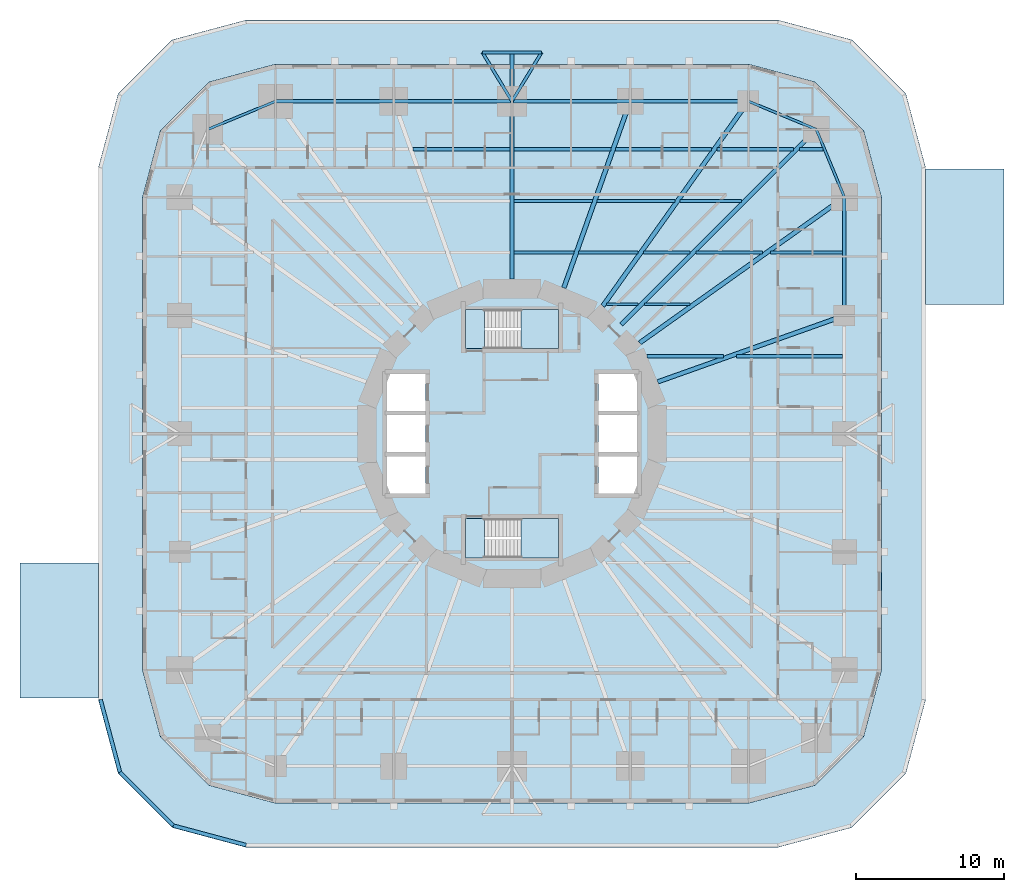
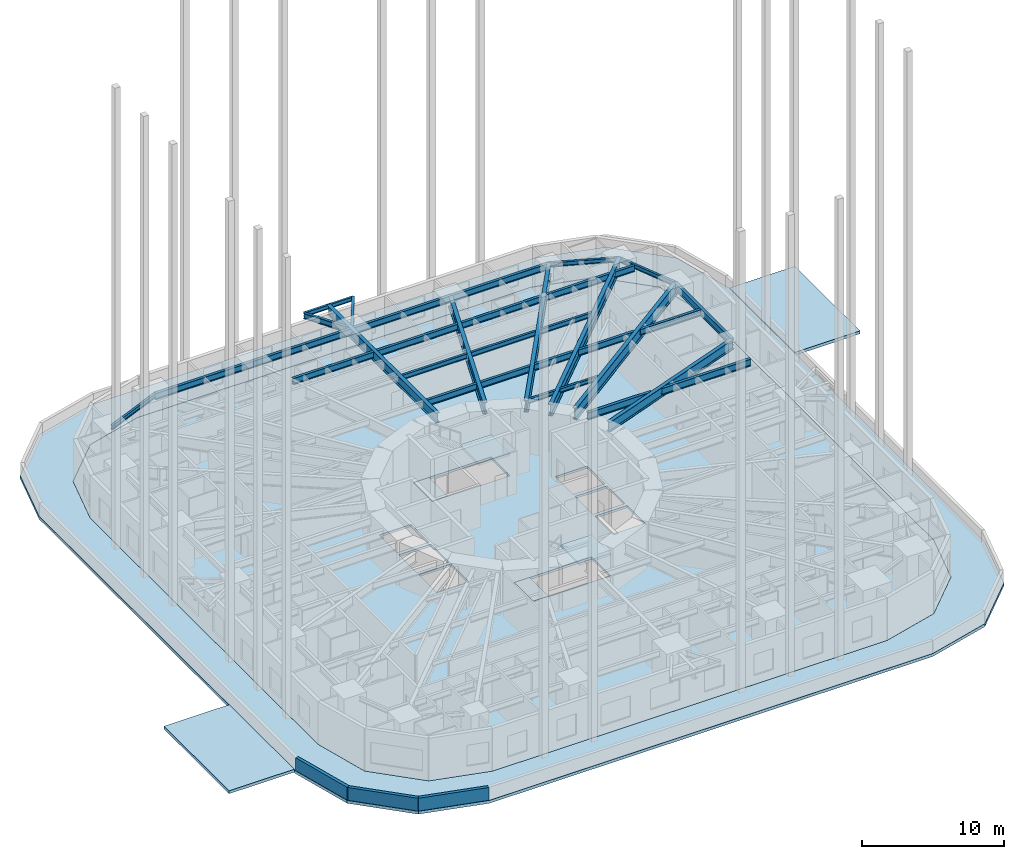
# One storey, part 3 of 13: 34 beams, 8 slabs, 3 walls, 2 elements without a shape of their own.
"""IFC4 building model written with IfcOpenShell, lengths in metres."""

from ifc_helpers import new_model, si_unit, direction, frame, frame_2d, origin, origin_2d, place, context, subcontext, project, spatial, polyline, rectangle, i_section, outline, extrude, material, layer, layer_set, material_profile, profile_set, type_object, element, aggregate, save


model = new_model("IFC4")

# Units and contexts
model_context = context("Model", 3, precision=1e-05, world=origin(), true_north=direction((0.0, 1.0)))
body_context = subcontext(model_context, "Body", "Model", "MODEL_VIEW")
ifc_project = project(units=[si_unit("LENGTHUNIT", "METRE"), si_unit("AREAUNIT", "SQUARE_METRE"), si_unit("VOLUMEUNIT", "CUBIC_METRE"), si_unit("PLANEANGLEUNIT", "RADIAN"), si_unit("MASSUNIT", "GRAM", prefix="KILO")], contexts=[model_context])

# Site, building, storey
site_placement = place(None, origin())
site = spatial("IfcSite", under=ifc_project, at=site_placement, CompositionType="ELEMENT")
building_placement = place(site_placement, origin())
building = spatial("IfcBuilding", under=site, at=building_placement, Name="Nakasero Lantern House", CompositionType="ELEMENT")
storey_placement = place(building_placement, frame((0.0, 0.0, 16.0)))
storey = spatial("IfcBuildingStorey", under=building, at=storey_placement, Name="L03", CompositionType="ELEMENT", Elevation=16.0)

# Beams
ifc_material_1 = material(Name="Steel S355", Category="steel")
ifc_material_profile_1 = material_profile(ifc_material_1, i_section(OverallWidth=0.199462890625, OverallDepth=0.491943359375, WebThickness=0.01806640625, FlangeThickness=0.031982421875, FilletRadius=0.01025390625, at=origin_2d()), Name="UB 457x191x161")
ifc_profile_set_1 = profile_set([ifc_material_profile_1], Name="Steel S355")
beam_type_1 = type_object("IfcBeamType", Name="Balcony splay beam UB 457x191x161", PredefinedType="BEAM", material=ifc_profile_set_1)
for number, where, z_axis, x_axis, name in (
    (1, (0.0, 22.5, 3.404052734375), (-0.518296107317, 0.855201230787, 0.0), (-0.855201230787, -0.518296107317, 0.0), "Balcony splay beam L04 B1-C09A"),
    (2, (0.0, 22.5, 3.404052734375), (0.518296107317, 0.855201230787, 0.0), (-0.855201230787, 0.518296107317, 0.0), "Balcony splay beam L04 B1-C09B"),
):
    element("IfcBeam", number, at=place(storey_placement, frame(where, z_axis=z_axis, x_axis=x_axis)), inside=storey, type_object=beam_type_1, Name=name, PredefinedType="BEAM", context=body_context, shape_type="SweptSolid", body=[
        extrude(i_section(OverallWidth=0.199462890625, OverallDepth=0.491943359375, WebThickness=0.01806640625, FlangeThickness=0.031982421875, FilletRadius=0.01025390625, at=origin_2d()), origin(), (0.0, 0.0, 1.0), 3.85888671875),
    ])
ifc_material_2 = material(Name="Steel S355", Category="steel")
ifc_material_profile_2 = material_profile(ifc_material_2, i_section(OverallWidth=0.17138671875, OverallDepth=0.35498046875, WebThickness=0.00732421875, FlangeThickness=0.011474609375, FilletRadius=0.01025390625, at=origin_2d()), Name="UB 356x171x51")
ifc_profile_set_2 = profile_set([ifc_material_profile_2], Name="Steel S355")
beam_type_2 = type_object("IfcBeamType", Name="Balcony tie beam UB 356x171x51", PredefinedType="BEAM", material=ifc_profile_set_2)
beam_1_placement = place(storey_placement, frame((-2.0, 25.800048828125, 3.472412109375), z_axis=(1.0, 0.0, 0.0), x_axis=(0.0, 1.0, 0.0)))
element("IfcBeam", 3, at=beam_1_placement, inside=storey, type_object=beam_type_2, Name="Balcony tie beam L04 B1-C09", PredefinedType="BEAM", context=body_context, shape_type="SweptSolid", body=[
    extrude(i_section(OverallWidth=0.17138671875, OverallDepth=0.35498046875, WebThickness=0.00732421875, FlangeThickness=0.011474609375, FilletRadius=0.01025390625, at=origin_2d()), origin(), (0.0, 0.0, 1.0), 4.0),
])
ifc_material_3 = material(Name="Steel S355", Category="steel")
ifc_material_profile_3 = material_profile(ifc_material_3, i_section(OverallWidth=0.17138671875, OverallDepth=0.35498046875, WebThickness=0.00732421875, FlangeThickness=0.011474609375, FilletRadius=0.01025390625, at=origin_2d()), Name="UB 356x171x51")
ifc_profile_set_3 = profile_set([ifc_material_profile_3], Name="Steel S355")
beam_type_3 = type_object("IfcBeamType", Name="Infill beam UB 356x171x51", PredefinedType="JOIST", material=ifc_profile_set_3)
beam_2_placement = place(storey_placement, frame((6.40625, 8.75, 3.472412109375), z_axis=(1.0, 0.0, 0.0), x_axis=(0.0, 1.0, 0.0)))
element("IfcBeam", 4, at=beam_2_placement, inside=storey, type_object=beam_type_3, Name="Infill beam L04 10.3", PredefinedType="JOIST", context=body_context, shape_type="SweptSolid", body=[
    extrude(i_section(OverallWidth=0.17138671875, OverallDepth=0.35498046875, WebThickness=0.00732421875, FlangeThickness=0.011474609375, FilletRadius=0.01025390625, at=origin_2d()), origin(), (0.0, 0.0, 1.0), 2.131591796875),
])
beam_3_placement = place(storey_placement, frame((8.962158203125, 8.75, 3.472412109375), z_axis=(1.0, 0.0, 0.0), x_axis=(0.0, 1.0, 0.0)))
element("IfcBeam", 5, at=beam_3_placement, inside=storey, type_object=beam_type_3, Name="Infill beam L04 10.4", PredefinedType="JOIST", context=body_context, shape_type="SweptSolid", body=[
    extrude(i_section(OverallWidth=0.17138671875, OverallDepth=0.35498046875, WebThickness=0.00732421875, FlangeThickness=0.011474609375, FilletRadius=0.01025390625, at=origin_2d()), origin(), (0.0, 0.0, 1.0), 3.083740234375),
])
ifc_material_4 = material(Name="Steel S355", Category="steel")
ifc_material_profile_4 = material_profile(ifc_material_4, i_section(OverallWidth=0.177978515625, OverallDepth=0.406494140625, WebThickness=0.0078125, FlangeThickness=0.0126953125, FilletRadius=0.01025390625, at=origin_2d()), Name="UB 406x178x60")
ifc_profile_set_4 = profile_set([ifc_material_profile_4], Name="Steel S355")
beam_type_4 = type_object("IfcBeamType", Name="Infill beam UB 406x178x60", PredefinedType="JOIST", material=ifc_profile_set_4)
beam_4_placement = place(storey_placement, frame((0.146240234375, 15.75, 3.44677734375), z_axis=(1.0, 0.0, 0.0), x_axis=(0.0, 1.0, 0.0)))
element("IfcBeam", 6, at=beam_4_placement, inside=storey, type_object=beam_type_4, Name="Infill beam L04 12.4", PredefinedType="JOIST", context=body_context, shape_type="SweptSolid", body=[
    extrude(i_section(OverallWidth=0.177978515625, OverallDepth=0.406494140625, WebThickness=0.0078125, FlangeThickness=0.0126953125, FilletRadius=0.01025390625, at=origin_2d()), origin(), (0.0, 0.0, 1.0), 5.294677734375),
])
beam_5_placement = place(storey_placement, frame((5.75927734375, 15.75, 3.44677734375), z_axis=(1.0, 0.0, 0.0), x_axis=(0.0, 1.0, 0.0)))
element("IfcBeam", 7, at=beam_5_placement, inside=storey, type_object=beam_type_4, Name="Infill beam L04 12.5", PredefinedType="JOIST", context=body_context, shape_type="SweptSolid", body=[
    extrude(i_section(OverallWidth=0.177978515625, OverallDepth=0.406494140625, WebThickness=0.0078125, FlangeThickness=0.0126953125, FilletRadius=0.01025390625, at=origin_2d()), origin(), (0.0, 0.0, 1.0), 5.256591796875),
])
beam_6_placement = place(storey_placement, frame((11.384033203125, 15.75, 3.44677734375), z_axis=(1.0, 0.0, 0.0), x_axis=(0.0, 1.0, 0.0)))
element("IfcBeam", 8, at=beam_6_placement, inside=storey, type_object=beam_type_4, Name="Infill beam L04 12.6", PredefinedType="JOIST", context=body_context, shape_type="SweptSolid", body=[
    extrude(i_section(OverallWidth=0.177978515625, OverallDepth=0.406494140625, WebThickness=0.0078125, FlangeThickness=0.0126953125, FilletRadius=0.01025390625, at=origin_2d()), origin(), (0.0, 0.0, 1.0), 4.15380859375),
])
ifc_material_5 = material(Name="Steel S355", Category="steel")
ifc_material_profile_5 = material_profile(ifc_material_5, i_section(OverallWidth=0.208740234375, OverallDepth=0.5283203125, WebThickness=0.009521484375, FlangeThickness=0.01318359375, FilletRadius=0.0126953125, at=origin_2d()), Name="UB 533x210x82")
ifc_profile_set_5 = profile_set([ifc_material_profile_5], Name="Steel S355")
beam_type_5 = type_object("IfcBeamType", Name="Infill beam UB 533x210x82", PredefinedType="JOIST", material=ifc_profile_set_5)
beam_7_placement = place(storey_placement, frame((0.146240234375, 12.25, 3.3857421875), z_axis=(1.0, 0.0, 0.0), x_axis=(0.0, 1.0, 0.0)))
element("IfcBeam", 9, at=beam_7_placement, inside=storey, type_object=beam_type_5, Name="Infill beam L04 11.6", PredefinedType="JOIST", context=body_context, shape_type="SweptSolid", body=[
    extrude(i_section(OverallWidth=0.208740234375, OverallDepth=0.5283203125, WebThickness=0.009521484375, FlangeThickness=0.01318359375, FilletRadius=0.0126953125, at=origin_2d()), origin(), (0.0, 0.0, 1.0), 4.050048828125),
])
beam_8_placement = place(storey_placement, frame((4.5146484375, 12.25, 3.3857421875), z_axis=(1.0, 0.0, 0.0), x_axis=(0.0, 1.0, 0.0)))
element("IfcBeam", 10, at=beam_8_placement, inside=storey, type_object=beam_type_5, Name="Infill beam L04 11.7", PredefinedType="JOIST", context=body_context, shape_type="SweptSolid", body=[
    extrude(i_section(OverallWidth=0.208740234375, OverallDepth=0.5283203125, WebThickness=0.009521484375, FlangeThickness=0.01318359375, FilletRadius=0.0126953125, at=origin_2d()), origin(), (0.0, 0.0, 1.0), 4.012451171875),
])
beam_9_placement = place(storey_placement, frame((8.895263671875, 12.25, 3.3857421875), z_axis=(1.0, 0.0, 0.0), x_axis=(0.0, 1.0, 0.0)))
element("IfcBeam", 11, at=beam_9_placement, inside=storey, type_object=beam_type_5, Name="Infill beam L04 11.8", PredefinedType="JOIST", context=body_context, shape_type="SweptSolid", body=[
    extrude(i_section(OverallWidth=0.208740234375, OverallDepth=0.5283203125, WebThickness=0.009521484375, FlangeThickness=0.01318359375, FilletRadius=0.0126953125, at=origin_2d()), origin(), (0.0, 0.0, 1.0), 3.142578125),
])
beam_10_placement = place(storey_placement, frame((12.462158203125, 12.25, 3.3857421875), z_axis=(1.0, 0.0, 0.0), x_axis=(0.0, 1.0, 0.0)))
element("IfcBeam", 12, at=beam_10_placement, inside=storey, type_object=beam_type_5, Name="Infill beam L04 11.9", PredefinedType="JOIST", context=body_context, shape_type="SweptSolid", body=[
    extrude(i_section(OverallWidth=0.208740234375, OverallDepth=0.5283203125, WebThickness=0.009521484375, FlangeThickness=0.01318359375, FilletRadius=0.0126953125, at=origin_2d()), origin(), (0.0, 0.0, 1.0), 4.505615234375),
])
beam_11_placement = place(storey_placement, frame((17.4853515625, 12.25, 3.3857421875), z_axis=(1.0, 0.0, 0.0), x_axis=(0.0, 1.0, 0.0)))
element("IfcBeam", 13, at=beam_11_placement, inside=storey, type_object=beam_type_5, Name="Infill beam L04 11.10", PredefinedType="JOIST", context=body_context, shape_type="SweptSolid", body=[
    extrude(i_section(OverallWidth=0.208740234375, OverallDepth=0.5283203125, WebThickness=0.009521484375, FlangeThickness=0.01318359375, FilletRadius=0.0126953125, at=origin_2d()), origin(), (0.0, 0.0, 1.0), 4.900146484375),
])
for number, where, z_axis, x_axis, name in (
    (14, (-6.685302734375, 19.25, 3.3857421875), (1.0, 0.0, 0.0), (0.0, 1.0, 0.0), "Infill beam L04 13.4"),
    (15, (0.146240234375, 19.25, 3.3857421875), (1.0, 0.0, 0.0), (0.0, 1.0, 0.0), "Infill beam L04 13.5"),
):
    element("IfcBeam", number, at=place(storey_placement, frame(where, z_axis=z_axis, x_axis=x_axis)), inside=storey, type_object=beam_type_5, Name=name, PredefinedType="JOIST", context=body_context, shape_type="SweptSolid", body=[
        extrude(i_section(OverallWidth=0.208740234375, OverallDepth=0.5283203125, WebThickness=0.009521484375, FlangeThickness=0.01318359375, FilletRadius=0.0126953125, at=origin_2d()), origin(), (0.0, 0.0, 1.0), 6.5390625),
    ])
beam_12_placement = place(storey_placement, frame((7.003662109375, 19.25, 3.3857421875), z_axis=(1.0, 0.0, 0.0), x_axis=(0.0, 1.0, 0.0)))
element("IfcBeam", 16, at=beam_12_placement, inside=storey, type_object=beam_type_5, Name="Infill beam L04 13.6", PredefinedType="JOIST", context=body_context, shape_type="SweptSolid", body=[
    extrude(i_section(OverallWidth=0.208740234375, OverallDepth=0.5283203125, WebThickness=0.009521484375, FlangeThickness=0.01318359375, FilletRadius=0.0126953125, at=origin_2d()), origin(), (0.0, 0.0, 1.0), 6.501220703125),
])
beam_13_placement = place(storey_placement, frame((13.873046875, 19.25, 3.3857421875), z_axis=(1.0, 0.0, 0.0), x_axis=(0.0, 1.0, 0.0)))
element("IfcBeam", 17, at=beam_13_placement, inside=storey, type_object=beam_type_5, Name="Infill beam L04 13.7", PredefinedType="JOIST", context=body_context, shape_type="SweptSolid", body=[
    extrude(i_section(OverallWidth=0.208740234375, OverallDepth=0.5283203125, WebThickness=0.009521484375, FlangeThickness=0.01318359375, FilletRadius=0.0126953125, at=origin_2d()), origin(), (0.0, 0.0, 1.0), 5.164794921875),
])
beam_14_placement = place(storey_placement, frame((19.462158203125, 19.25, 3.3857421875), z_axis=(1.0, 0.0, 0.0), x_axis=(0.0, 1.0, 0.0)))
element("IfcBeam", 18, at=beam_14_placement, inside=storey, type_object=beam_type_5, Name="Infill beam L04 13.8", PredefinedType="JOIST", context=body_context, shape_type="SweptSolid", body=[
    extrude(i_section(OverallWidth=0.208740234375, OverallDepth=0.5283203125, WebThickness=0.009521484375, FlangeThickness=0.01318359375, FilletRadius=0.0126953125, at=origin_2d()), origin(), (0.0, 0.0, 1.0), 1.598876953125),
])
ifc_material_6 = material(Name="Steel S355", Category="steel")
ifc_material_profile_6 = material_profile(ifc_material_6, i_section(OverallWidth=0.2275390625, OverallDepth=0.6025390625, WebThickness=0.010498046875, FlangeThickness=0.014892578125, FilletRadius=0.0126953125, at=origin_2d()), Name="UB 610x229x101")
ifc_profile_set_6 = profile_set([ifc_material_profile_6], Name="Steel S355")
beam_type_6 = type_object("IfcBeamType", Name="Infill beam UB 610x229x101", PredefinedType="JOIST", material=ifc_profile_set_6)
beam_15_placement = place(storey_placement, frame((9.144775390625, 5.25, 3.3486328125), z_axis=(1.0, 0.0, 0.0), x_axis=(0.0, 1.0, 0.0)))
element("IfcBeam", 19, at=beam_15_placement, inside=storey, type_object=beam_type_6, Name="Infill beam L04 09.3", PredefinedType="JOIST", context=body_context, shape_type="SweptSolid", body=[
    extrude(i_section(OverallWidth=0.2275390625, OverallDepth=0.6025390625, WebThickness=0.010498046875, FlangeThickness=0.014892578125, FilletRadius=0.0126953125, at=origin_2d()), origin(), (0.0, 0.0, 1.0), 5.184326171875),
])
beam_16_placement = place(storey_placement, frame((15.2021484375, 5.25, 3.3486328125), z_axis=(1.0, 0.0, 0.0), x_axis=(0.0, 1.0, 0.0)))
element("IfcBeam", 20, at=beam_16_placement, inside=storey, type_object=beam_type_6, Name="Infill beam L04 09.4", PredefinedType="JOIST", context=body_context, shape_type="SweptSolid", body=[
    extrude(i_section(OverallWidth=0.2275390625, OverallDepth=0.6025390625, WebThickness=0.010498046875, FlangeThickness=0.014892578125, FilletRadius=0.0126953125, at=origin_2d()), origin(), (0.0, 0.0, 1.0), 7.183349609375),
])
ifc_material_7 = material(Name="Steel S355", Category="steel")
ifc_material_profile_7 = material_profile(ifc_material_7, i_section(OverallWidth=0.300048828125, OverallDepth=0.97021484375, WebThickness=0.01611328125, FlangeThickness=0.02099609375, FilletRadius=0.030029296875, at=origin_2d()), Name="UB 1016x305x222")
ifc_profile_set_7 = profile_set([ifc_material_profile_7], Name="Steel S355")
beam_type_7 = type_object("IfcBeamType", Name="Primary beam UB 1016x305x222, span 12 to 15 m", PredefinedType="BEAM", material=ifc_profile_set_7)
beam_17_placement = place(storey_placement, frame((8.0, 22.5, 3.164794921875), z_axis=(-0.335010745293, -0.942214307118, 0.0), x_axis=(0.942214307118, -0.335010745293, 0.0)))
element("IfcBeam", 21, at=beam_17_placement, inside=storey, type_object=beam_type_7, Name="Primary beam L04 B1-C08", PredefinedType="BEAM", context=body_context, shape_type="SweptSolid", body=[
    extrude(i_section(OverallWidth=0.300048828125, OverallDepth=0.97021484375, WebThickness=0.01611328125, FlangeThickness=0.02099609375, FilletRadius=0.030029296875, at=origin_2d()), origin(), (0.0, 0.0, 1.0), 13.408447265625),
])
ifc_material_8 = material(Name="Steel S355", Category="steel")
ifc_material_profile_8 = material_profile(ifc_material_8, i_section(OverallWidth=0.300048828125, OverallDepth=0.989990234375, WebThickness=0.0166015625, FlangeThickness=0.031005859375, FilletRadius=0.030029296875, at=origin_2d()), Name="UB 1016x305x272")
ifc_profile_set_8 = profile_set([ifc_material_profile_8], Name="Steel S355")
beam_type_8 = type_object("IfcBeamType", Name="Primary beam UB 1016x305x272, span over 15 m", PredefinedType="BEAM", material=ifc_profile_set_8)
beam_18_placement = place(storey_placement, frame((22.5, 16.0, 3.155029296875), z_axis=(-0.814952159915, -0.579528236629, 0.0), x_axis=(0.579528236629, -0.814952159915, 0.0)))
element("IfcBeam", 22, at=beam_18_placement, inside=storey, type_object=beam_type_8, Name="Primary beam L04 B1-C05", PredefinedType="BEAM", context=body_context, shape_type="SweptSolid", body=[
    extrude(i_section(OverallWidth=0.300048828125, OverallDepth=0.989990234375, WebThickness=0.0166015625, FlangeThickness=0.031005859375, FilletRadius=0.030029296875, at=origin_2d()), origin(), (0.0, 0.0, 1.0), 17.003173828125),
])
beam_19_placement = place(storey_placement, frame((20.59619140625, 20.59619140625, 3.155029296875), z_axis=(-0.707106781187, -0.707106781187, 0.0), x_axis=(0.707106781187, -0.707106781187, 0.0)))
element("IfcBeam", 23, at=beam_19_placement, inside=storey, type_object=beam_type_8, Name="Primary beam L04 B1-C06", PredefinedType="BEAM", context=body_context, shape_type="SweptSolid", body=[
    extrude(i_section(OverallWidth=0.300048828125, OverallDepth=0.989990234375, WebThickness=0.0166015625, FlangeThickness=0.031005859375, FilletRadius=0.030029296875, at=origin_2d()), origin(), (0.0, 0.0, 1.0), 18.669677734375),
])
ifc_material_9 = material(Name="Steel S355", Category="steel")
ifc_material_profile_9 = material_profile(ifc_material_9, i_section(OverallWidth=0.300048828125, OverallDepth=1.0, WebThickness=0.01904296875, FlangeThickness=0.035888671875, FilletRadius=0.030029296875, at=origin_2d()), Name="UB 1016x305x314")
ifc_profile_set_9 = profile_set([ifc_material_profile_9], Name="Steel S355")
beam_type_9 = type_object("IfcBeamType", Name="Primary beam UB 1016x305x314, span over 15 m", PredefinedType="BEAM", material=ifc_profile_set_9)
beam_20_placement = place(storey_placement, frame((16.0, 22.5, 3.150146484375), z_axis=(-0.579528236629, -0.814952159915, 0.0), x_axis=(0.814952159915, -0.579528236629, 0.0)))
element("IfcBeam", 24, at=beam_20_placement, inside=storey, type_object=beam_type_9, Name="Primary beam L04 B1-C07", PredefinedType="BEAM", context=body_context, shape_type="SweptSolid", body=[
    extrude(i_section(OverallWidth=0.300048828125, OverallDepth=1.0, WebThickness=0.01904296875, FlangeThickness=0.035888671875, FilletRadius=0.030029296875, at=origin_2d()), origin(), (0.0, 0.0, 1.0), 17.003173828125),
])
ifc_material_10 = material(Name="Steel S355", Category="steel")
ifc_material_profile_10 = material_profile(ifc_material_10, i_section(OverallWidth=0.29248046875, OverallDepth=0.8408203125, WebThickness=0.0146484375, FlangeThickness=0.02685546875, FilletRadius=0.017822265625, at=origin_2d()), Name="UB 838x292x194")
ifc_profile_set_10 = profile_set([ifc_material_profile_10], Name="Steel S355")
beam_type_10 = type_object("IfcBeamType", Name="Primary beam UB 838x292x194, span 12 to 15 m", PredefinedType="BEAM", material=ifc_profile_set_10)
beam_21_placement = place(storey_placement, frame((22.5, 8.0, 3.229736328125), z_axis=(-0.942214307118, -0.335010745293, 0.0), x_axis=(0.335010745293, -0.942214307118, 0.0)))
element("IfcBeam", 25, at=beam_21_placement, inside=storey, type_object=beam_type_10, Name="Primary beam L04 B1-C04", PredefinedType="BEAM", context=body_context, shape_type="SweptSolid", body=[
    extrude(i_section(OverallWidth=0.29248046875, OverallDepth=0.8408203125, WebThickness=0.0146484375, FlangeThickness=0.02685546875, FilletRadius=0.017822265625, at=origin_2d()), origin(), (0.0, 0.0, 1.0), 13.408447265625),
])
beam_22_placement = place(storey_placement, frame((0.0, 25.800048828125, 3.229736328125), z_axis=(0.0, -1.0, 0.0), x_axis=(1.0, 0.0, 0.0)))
element("IfcBeam", 26, at=beam_22_placement, inside=storey, type_object=beam_type_10, Name="Primary beam L04 B1-C09", PredefinedType="BEAM", context=body_context, shape_type="SweptSolid", body=[
    extrude(i_section(OverallWidth=0.29248046875, OverallDepth=0.8408203125, WebThickness=0.0146484375, FlangeThickness=0.02685546875, FilletRadius=0.017822265625, at=origin_2d()), origin(), (0.0, 0.0, 1.0), 15.34228515625),
])
ifc_material_11 = material(Name="Steel S355", Category="steel")
ifc_material_profile_11 = material_profile(ifc_material_11, i_section(OverallWidth=0.17138671875, OverallDepth=0.35498046875, WebThickness=0.00732421875, FlangeThickness=0.011474609375, FilletRadius=0.01025390625, at=origin_2d()), Name="UB 356x171x51")
ifc_profile_set_11 = profile_set([ifc_material_profile_11], Name="Steel S355")
beam_type_11 = type_object("IfcBeamType", Name="Ring beam UB 356x171x51", PredefinedType="BEAM", material=ifc_profile_set_11)
for number, where, z_axis, x_axis, name in (
    (27, (22.5, 16.0, 3.472412109375), (-0.382684080569, 0.923879264016, 0.0), (-0.923879264016, -0.382684080569, 0.0), "Ring beam L04 B1-C05"),
    (28, (20.59619140625, 20.59619140625, 3.472412109375), (-0.923879264016, 0.382684080569, 0.0), (-0.382684080569, -0.923879264016, 0.0), "Ring beam L04 B1-C06"),
    (29, (-16.0, 22.5, 3.472412109375), (-0.923879264016, -0.382684080569, 0.0), (0.382684080569, -0.923879264016, 0.0), "Ring beam L04 B1-C11"),
):
    element("IfcBeam", number, at=place(storey_placement, frame(where, z_axis=z_axis, x_axis=x_axis)), inside=storey, type_object=beam_type_11, Name=name, PredefinedType="BEAM", context=body_context, shape_type="SweptSolid", body=[
        extrude(i_section(OverallWidth=0.17138671875, OverallDepth=0.35498046875, WebThickness=0.00732421875, FlangeThickness=0.011474609375, FilletRadius=0.01025390625, at=origin_2d()), origin(), (0.0, 0.0, 1.0), 4.974853515625),
    ])
ifc_material_12 = material(Name="Steel S355", Category="steel")
ifc_material_profile_12 = material_profile(ifc_material_12, i_section(OverallWidth=0.2099609375, OverallDepth=0.53662109375, WebThickness=0.0107421875, FlangeThickness=0.017333984375, FilletRadius=0.0126953125, at=origin_2d()), Name="UB 533x210x101")
ifc_profile_set_12 = profile_set([ifc_material_profile_12], Name="Steel S355")
beam_type_12 = type_object("IfcBeamType", Name="Ring beam UB 533x210x101", PredefinedType="BEAM", material=ifc_profile_set_12)
for number, where, z_axis, x_axis, name in (
    (30, (16.0, 22.5, 3.381591796875), (-1.0, 0.0, 0.0), (0.0, -1.0, 0.0), "Ring beam L04 B1-C07"),
    (31, (8.0, 22.5, 3.381591796875), (-1.0, 0.0, 0.0), (0.0, -1.0, 0.0), "Ring beam L04 B1-C08"),
    (32, (0.0, 22.5, 3.381591796875), (-1.0, 0.0, 0.0), (0.0, -1.0, 0.0), "Ring beam L04 B1-C09"),
    (33, (-8.0, 22.5, 3.381591796875), (-1.0, 0.0, 0.0), (0.0, -1.0, 0.0), "Ring beam L04 B1-C10"),
):
    element("IfcBeam", number, at=place(storey_placement, frame(where, z_axis=z_axis, x_axis=x_axis)), inside=storey, type_object=beam_type_12, Name=name, PredefinedType="BEAM", context=body_context, shape_type="SweptSolid", body=[
        extrude(i_section(OverallWidth=0.2099609375, OverallDepth=0.53662109375, WebThickness=0.0107421875, FlangeThickness=0.017333984375, FilletRadius=0.0126953125, at=origin_2d()), origin(), (0.0, 0.0, 1.0), 8.0),
    ])
ifc_material_13 = material(Name="Steel S355", Category="steel")
ifc_material_profile_13 = material_profile(ifc_material_13, i_section(OverallWidth=0.22900390625, OverallDepth=0.6123046875, WebThickness=0.011962890625, FlangeThickness=0.01953125, FilletRadius=0.0126953125, at=origin_2d()), Name="UB 610x229x125")
ifc_profile_set_13 = profile_set([ifc_material_profile_13], Name="Steel S355")
beam_type_13 = type_object("IfcBeamType", Name="Ring beam UB 610x229x125", PredefinedType="BEAM", material=ifc_profile_set_13)
beam_23_placement = place(storey_placement, frame((22.5, 8.0, 3.343994140625), z_axis=(0.0, 1.0, 0.0), x_axis=(-1.0, 0.0, 0.0)))
element("IfcBeam", 34, at=beam_23_placement, inside=storey, type_object=beam_type_13, Name="Ring beam L04 B1-C04", PredefinedType="BEAM", context=body_context, shape_type="SweptSolid", body=[
    extrude(i_section(OverallWidth=0.22900390625, OverallDepth=0.6123046875, WebThickness=0.011962890625, FlangeThickness=0.01953125, FilletRadius=0.0126953125, at=origin_2d()), origin(), (0.0, 0.0, 1.0), 8.0),
])

# Slabs
ifc_material_14 = material(Name="Concrete C35/45", Category="concrete")
ifc_layer_1 = layer(ifc_material_14, 0.199951171875)
ifc_layer_set_1 = layer_set([ifc_layer_1], Name="Composite floor slab 200")
slab_type_1 = type_object("IfcSlabType", Name="Composite floor slab 200", PredefinedType="FLOOR", material=ifc_layer_set_1)
slab_1_placement = place(storey_placement, frame((0.0, 0.0, -0.199951171875)))
element("IfcSlab", 35, at=slab_1_placement, inside=storey, type_object=slab_type_1, Name="Floor slab L03", PredefinedType="FLOOR", context=body_context, shape_type="SweptSolid", body=[
    extrude(outline(polyline([(25.0, 16.0), (23.794189453125, 20.5), (20.5, 23.794189453125), (16.0, 25.0), (-16.0, 25.0), (-20.5, 23.794189453125), (-23.794189453125, 20.5), (-25.0, 16.0), (-25.0, -16.0), (-23.794189453125, -20.5), (-20.5, -23.794189453125), (-16.0, -25.0), (16.0, -25.0), (20.5, -23.794189453125), (23.794189453125, -20.5), (25.0, -16.0), (25.0, 16.0)]), holes=[polyline([(-8.449951171875, -4.050048828125), (-5.85009765625, -4.050048828125), (-5.85009765625, -1.550048828125), (-8.449951171875, -1.550048828125), (-8.449951171875, -4.050048828125)]), polyline([(-8.449951171875, -1.25), (-5.85009765625, -1.25), (-5.85009765625, 1.25), (-8.449951171875, 1.25), (-8.449951171875, -1.25)]), polyline([(-8.449951171875, 1.550048828125), (-5.85009765625, 1.550048828125), (-5.85009765625, 4.050048828125), (-8.449951171875, 4.050048828125), (-8.449951171875, 1.550048828125)]), polyline([(5.85009765625, -4.050048828125), (8.449951171875, -4.050048828125), (8.449951171875, -1.550048828125), (5.85009765625, -1.550048828125), (5.85009765625, -4.050048828125)]), polyline([(5.85009765625, -1.25), (8.449951171875, -1.25), (8.449951171875, 1.25), (5.85009765625, 1.25), (5.85009765625, -1.25)]), polyline([(5.85009765625, 1.550048828125), (8.449951171875, 1.550048828125), (8.449951171875, 4.050048828125), (5.85009765625, 4.050048828125), (5.85009765625, 1.550048828125)]), polyline([(-3.14990234375, 5.75), (3.14990234375, 5.75), (3.14990234375, 8.39990234375), (-3.14990234375, 8.39990234375), (-3.14990234375, 5.75)]), polyline([(-3.14990234375, -8.39990234375), (3.14990234375, -8.39990234375), (3.14990234375, -5.75), (-3.14990234375, -5.75), (-3.14990234375, -8.39990234375)])]), origin(), (0.0, 0.0, 1.0), 0.199951171875),
])
ifc_material_15 = material(Name="Concrete C35/45", Category="concrete")
ifc_layer_2 = layer(ifc_material_15, 0.25)
ifc_layer_set_2 = layer_set([ifc_layer_2], Name="Setback roof 250")
slab_type_2 = type_object("IfcSlabType", Name="Setback roof 250", PredefinedType="ROOF", material=ifc_layer_set_2)
slab_2_placement = place(storey_placement, frame((0.0, 0.0, -0.25)))
element("IfcSlab", 36, at=slab_2_placement, inside=storey, type_object=slab_type_2, Name="Setback roof L03", PredefinedType="ROOF", context=body_context, shape_type="SweptSolid", body=[
    extrude(outline(polyline([(28.0, 18.0), (26.66015625, 23.0), (23.0, 26.66015625), (18.0, 28.0), (-18.0, 28.0), (-23.0, 26.66015625), (-26.66015625, 23.0), (-28.0, 18.0), (-28.0, -18.0), (-26.66015625, -23.0), (-23.0, -26.66015625), (-18.0, -28.0), (18.0, -28.0), (23.0, -26.66015625), (26.66015625, -23.0), (28.0, -18.0), (28.0, 18.0)]), holes=[polyline([(25.0, 16.0), (23.794189453125, 20.5), (20.5, 23.794189453125), (16.0, 25.0), (-16.0, 25.0), (-20.5, 23.794189453125), (-23.794189453125, 20.5), (-25.0, 16.0), (-25.0, -16.0), (-23.794189453125, -20.5), (-20.5, -23.794189453125), (-16.0, -25.0), (16.0, -25.0), (20.5, -23.794189453125), (23.794189453125, -20.5), (25.0, -16.0), (25.0, 16.0)])]), origin(), (0.0, 0.0, 1.0), 0.25),
])

# Stair, slabs
ifc_material_16 = material(Name="Concrete C40/50", Category="concrete")
stair_type_1 = type_object("IfcStairType", Name="Escape stair ST1 22 risers", PredefinedType="HALF_TURN_STAIR", material=ifc_material_16)
stair_1_placement = place(storey_placement, origin())
stair_1 = element("IfcStair", 37, at=stair_1_placement, inside=storey, type_object=stair_type_1, Name="Escape stair ST1 L03", PredefinedType="HALF_TURN_STAIR")
ifc_material_17 = material(Name="Concrete C40/50", Category="concrete")
ifc_layer_3 = layer(ifc_material_17, 0.199951171875)
ifc_layer_set_3 = layer_set([ifc_layer_3], Name="Stair landing 200")
slab_type_3 = type_object("IfcSlabType", Name="Stair landing 200", PredefinedType="LANDING", material=ifc_layer_set_3)
slab_3_placement = place(storey_placement, frame((0.0, 0.0, -0.199951171875)))
slab_3 = element("IfcSlab", 38, at=slab_3_placement, type_object=slab_type_3, Name="ST1 landing 1", PredefinedType="LANDING", context=body_context, shape_type="SweptSolid", body=[
    extrude(outline(polyline([(-3.14990234375, 5.75), (-1.875, 5.75), (-1.875, 8.39990234375), (-3.14990234375, 8.39990234375), (-3.14990234375, 5.75)])), origin(), (0.0, 0.0, 1.0), 0.199951171875),
])
slab_4_placement = place(storey_placement, frame((0.0, 0.0, 1.72509765625)))
slab_4 = element("IfcSlab", 39, at=slab_4_placement, type_object=slab_type_3, Name="ST1 landing 2", PredefinedType="LANDING", context=body_context, shape_type="SweptSolid", body=[
    extrude(outline(polyline([(0.625, 5.75), (3.14990234375, 5.75), (3.14990234375, 8.39990234375), (0.625, 8.39990234375), (0.625, 5.75)])), origin(), (0.0, 0.0, 1.0), 0.199951171875),
])
aggregate(stair_1, [slab_3, slab_4])

ifc_material_18 = material(Name="Concrete C40/50", Category="concrete")
stair_type_2 = type_object("IfcStairType", Name="Escape stair ST2 22 risers", PredefinedType="HALF_TURN_STAIR", material=ifc_material_18)
stair_2_placement = place(storey_placement, origin())
stair_2 = element("IfcStair", 40, at=stair_2_placement, inside=storey, type_object=stair_type_2, Name="Escape stair ST2 L03", PredefinedType="HALF_TURN_STAIR")
slab_5_placement = place(storey_placement, frame((0.0, 0.0, -0.199951171875)))
slab_5 = element("IfcSlab", 41, at=slab_5_placement, type_object=slab_type_3, Name="ST2 landing 1", PredefinedType="LANDING", context=body_context, shape_type="SweptSolid", body=[
    extrude(outline(polyline([(-3.14990234375, -8.39990234375), (-1.875, -8.39990234375), (-1.875, -5.75), (-3.14990234375, -5.75), (-3.14990234375, -8.39990234375)])), origin(), (0.0, 0.0, 1.0), 0.199951171875),
])
slab_6_placement = place(storey_placement, frame((0.0, 0.0, 1.72509765625)))
slab_6 = element("IfcSlab", 42, at=slab_6_placement, type_object=slab_type_3, Name="ST2 landing 2", PredefinedType="LANDING", context=body_context, shape_type="SweptSolid", body=[
    extrude(outline(polyline([(0.625, -8.39990234375), (3.14990234375, -8.39990234375), (3.14990234375, -5.75), (0.625, -5.75), (0.625, -8.39990234375)])), origin(), (0.0, 0.0, 1.0), 0.199951171875),
])
aggregate(stair_2, [slab_5, slab_6])

# Slabs
ifc_material_19 = material(Name="Concrete C32/40", Category="concrete")
ifc_layer_4 = layer(ifc_material_19, 0.25)
ifc_layer_set_4 = layer_set([ifc_layer_4], Name="Stair tower roof 250")
slab_type_4 = type_object("IfcSlabType", Name="Stair tower roof 250", PredefinedType="ROOF", material=ifc_layer_set_4)
slab_7_placement = place(storey_placement, frame((0.0, 0.0, -0.199951171875)))
element("IfcSlab", 43, at=slab_7_placement, inside=storey, type_object=slab_type_4, Name="Escape stair tower PS1 roof", PredefinedType="ROOF", context=body_context, shape_type="SweptSolid", body=[
    extrude(outline(polyline([(28.0, 8.75), (33.300048828125, 8.75), (33.300048828125, 17.89990234375), (28.0, 17.89990234375), (28.0, 8.75)])), origin(), (0.0, 0.0, 1.0), 0.25),
])
slab_8_placement = place(storey_placement, frame((0.0, 0.0, -0.199951171875)))
element("IfcSlab", 44, at=slab_8_placement, inside=storey, type_object=slab_type_4, Name="Escape stair tower PS2 roof", PredefinedType="ROOF", context=body_context, shape_type="SweptSolid", body=[
    extrude(outline(polyline([(-28.0, -8.75), (-33.300048828125, -8.75), (-33.300048828125, -17.89990234375), (-28.0, -17.89990234375), (-28.0, -8.75)])), origin(), (0.0, 0.0, 1.0), 0.25),
])

# Walls
ifc_material_20 = material(Name="Concrete C35/45", Category="concrete")
ifc_layer_5 = layer(ifc_material_20, 0.25)
ifc_layer_set_5 = layer_set([ifc_layer_5], Name="Parapet 250")
wall_type = type_object("IfcWallType", Name="Parapet 250", PredefinedType="SOLIDWALL", material=ifc_layer_set_5)
wall_1_placement = place(storey_placement, frame((-27.85009765625, -18.0, 0.0), z_axis=(0.0, 0.0, 1.0), x_axis=(0.25884857203, -0.965917914089, 0.0)))
element("IfcWall", 45, at=wall_1_placement, inside=storey, type_object=wall_type, Name="Parapet L03 PP2C1", PredefinedType="SOLIDWALL", context=body_context, shape_type="SweptSolid", body=[
    extrude(rectangle(XDim=5.098876953125, YDim=0.25, at=frame_2d((2.54931640625, 0.0))), origin(), (0.0, 0.0, 1.0), 1.10009765625),
])
wall_2_placement = place(storey_placement, frame((-26.5302734375, -22.925048828125, 0.0), z_axis=(0.0, 0.0, 1.0), x_axis=(0.707106781187, -0.707106781187, 0.0)))
element("IfcWall", 46, at=wall_2_placement, inside=storey, type_object=wall_type, Name="Parapet L03 PP2C2", PredefinedType="SOLIDWALL", context=body_context, shape_type="SweptSolid", body=[
    extrude(rectangle(XDim=5.0986328125, YDim=0.25, at=frame_2d((2.54931640625, 0.0))), origin(), (0.0, 0.0, 1.0), 1.10009765625),
])
wall_3_placement = place(storey_placement, frame((-22.925048828125, -26.5302734375, 0.0), z_axis=(0.0, 0.0, 1.0), x_axis=(0.965917914089, -0.25884857203, 0.0)))
element("IfcWall", 47, at=wall_3_placement, inside=storey, type_object=wall_type, Name="Parapet L03 PP2C3", PredefinedType="SOLIDWALL", context=body_context, shape_type="SweptSolid", body=[
    extrude(rectangle(XDim=5.098876953125, YDim=0.25, at=frame_2d((2.54931640625, 0.0))), origin(), (0.0, 0.0, 1.0), 1.10009765625),
])

save(model, "model.ifc")
